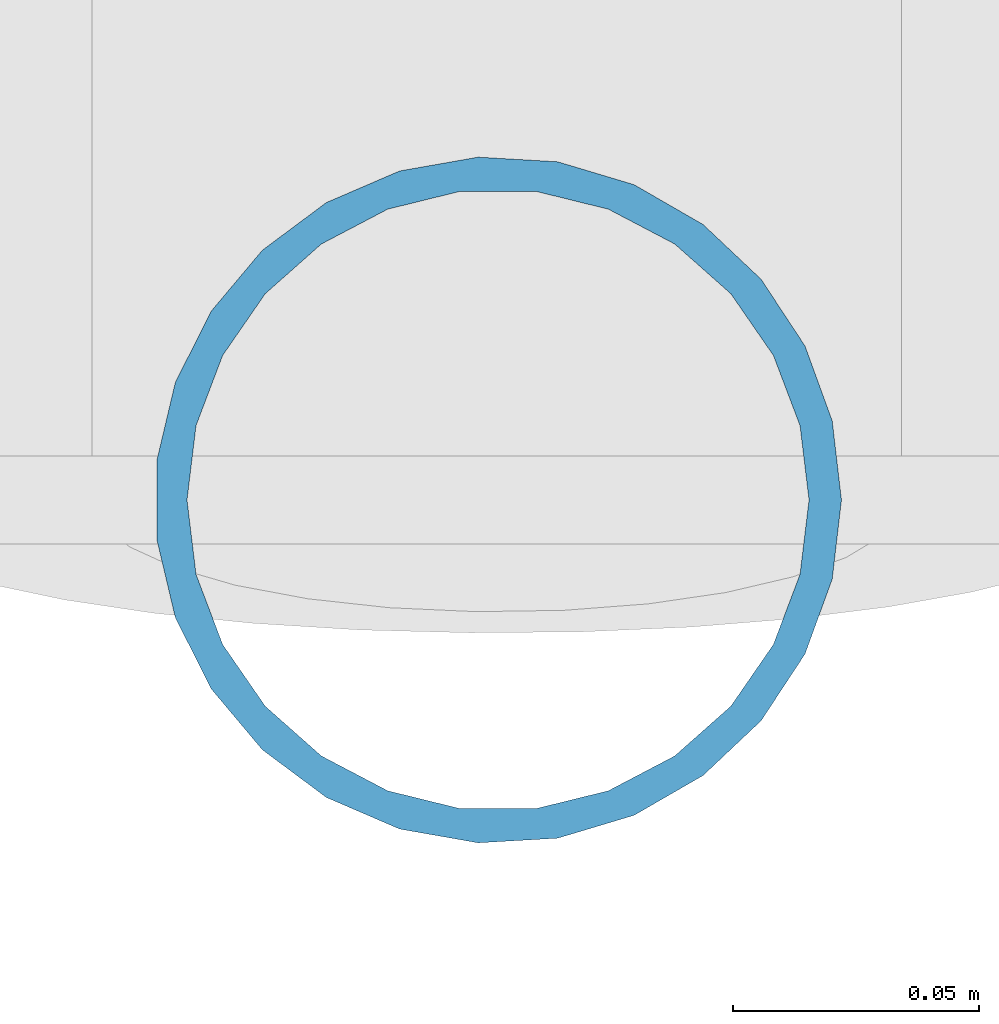
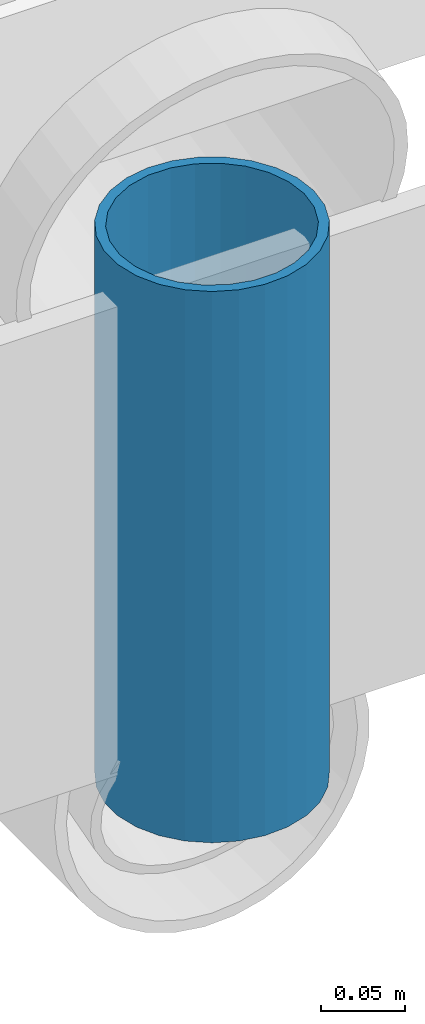
# One storey, part 133 of 194: 1 member.
"""IFC4 building model written with IfcOpenShell, lengths in metres."""

from ifc_helpers import new_model, si_unit, direction, frame, origin, origin_2d, place, context, subcontext, project, spatial, hollow_circle, extrude, material, material_profile, profile_set, type_object, element, save


model = new_model("IFC4")

# Units and contexts
model_context = context("Model", 3, precision=1e-05, world=origin(), true_north=direction((0.0, 1.0)))
body_context = subcontext(model_context, "Body", "Model", "MODEL_VIEW")
ifc_project = project(units=[si_unit("LENGTHUNIT", "METRE"), si_unit("AREAUNIT", "SQUARE_METRE"), si_unit("VOLUMEUNIT", "CUBIC_METRE"), si_unit("PLANEANGLEUNIT", "RADIAN"), si_unit("MASSUNIT", "GRAM", prefix="KILO")], contexts=[model_context])

# Site, building, storey
site_placement = place(None, origin())
site = spatial("IfcSite", under=ifc_project, at=site_placement, CompositionType="ELEMENT")
building_placement = place(site_placement, origin())
building = spatial("IfcBuilding", under=site, at=building_placement, Name="Kazenagashi Tramway Depot", CompositionType="ELEMENT")
storey_placement = place(building_placement, frame((0.0, 0.0, 23.7)))
storey = spatial("IfcBuildingStorey", under=building, at=storey_placement, Name="ROOF", CompositionType="ELEMENT", Elevation=23.7)

# Member
ifc_material = material(Name="Steel STK490", Category="steel")
ifc_material_profile = material_profile(ifc_material, hollow_circle(Radius=0.0699, WallThickness=0.0066, at=origin_2d()), Name="CHS-139.8x6.6")
ifc_profile_set = profile_set([ifc_material_profile], Name="Steel STK490")
member_type = type_object("IfcMemberType", Name="TS-02", PredefinedType="STRUT", material=ifc_profile_set)
member_placement = place(storey_placement, frame((120.4, 70.0, -14.1), z_axis=(0.0, 0.0, 1.0), x_axis=(1.0, 0.0, 0.0)))
element("IfcMember", 1, at=member_placement, inside=storey, type_object=member_type, Name="Tubular Space Frame TS-02 MEM-0568", PredefinedType="STRUT", context=body_context, shape_type="SweptSolid", body=[
    extrude(hollow_circle(Radius=0.0699, WallThickness=0.0066, at=origin_2d()), origin(), (0.0, 0.0, 1.0), 0.4),
])

save(model, "model.ifc")
